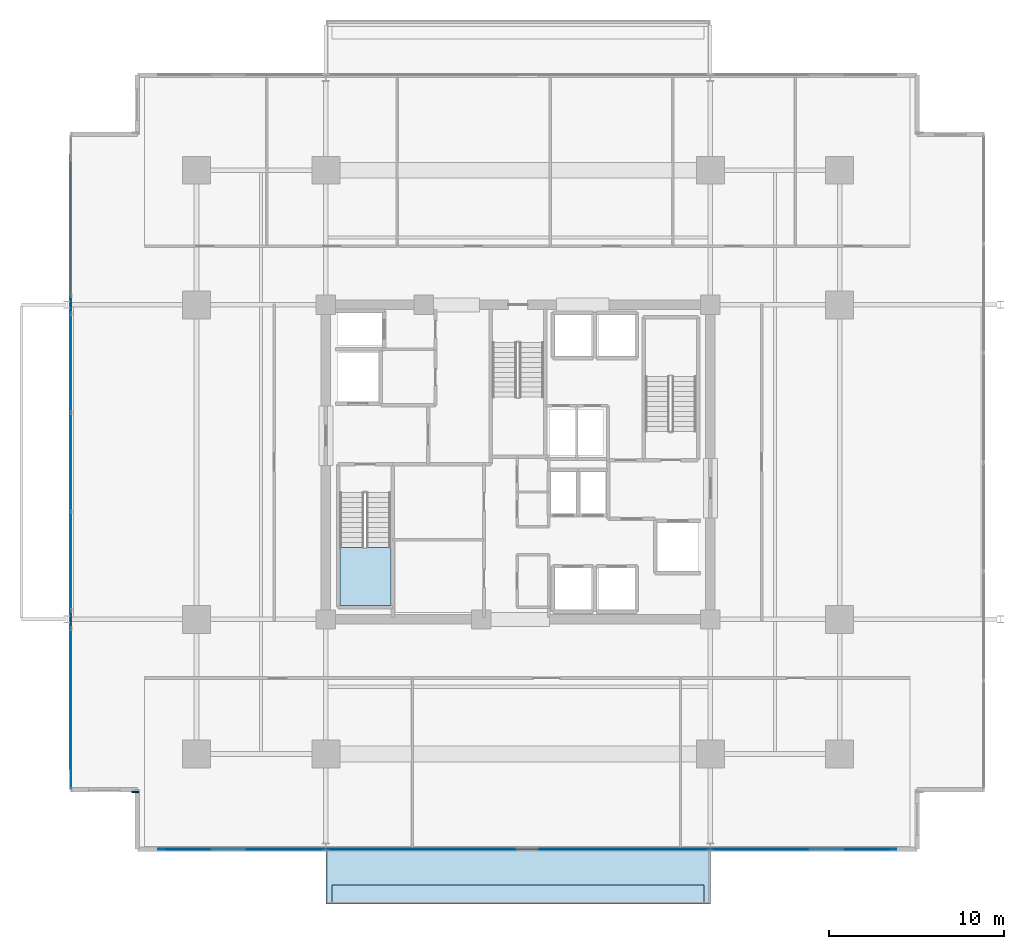
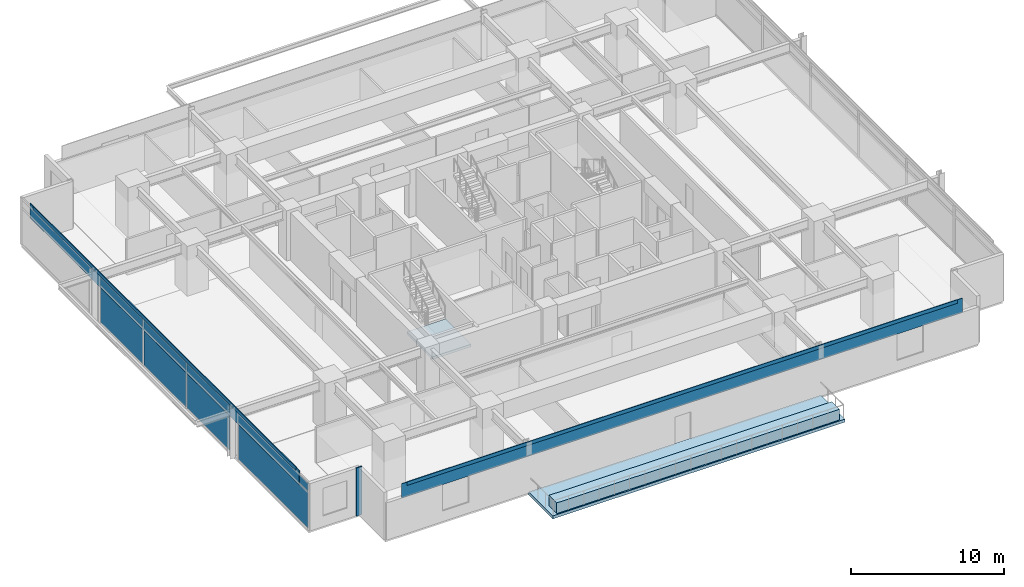
# One storey, part 12 of 22: 13 plates, 3 slabs, 3 elements without a shape of their own.
"""IFC4 building model written with IfcOpenShell, lengths in metres."""

import ifcopenshell
import ifcopenshell.guid

model = None  # the IFC model being written
_history = None  # IfcOwnerHistory: only IFC2X3 demands one
_inside = {}  # id of a spatial element -> (the spatial element, [elements in it])
_under = {}  # id of a project, library or spatial element -> (it, [spatial elements below it])
_declared = {}  # id of a project -> (the project, [libraries it declares])
_typed = {}  # id of a type object -> (the type object, [elements of that type])
_made_of = {}  # id of a material, layer set ... -> (it, [elements and type objects made of it])


def new_model(schema):
    """Start an empty IFC model of exactly this schema.

    Asked for "IFC4X3", IfcOpenShell would pick the latest addendum, in which some entities
    have other attributes; the version numbers below select the first issue.
    IFC2X3 requires an IfcOwnerHistory on every rooted entity: one is made here for all.
    """
    global model, _history
    if schema == "IFC4X3":
        model = ifcopenshell.file(schema_version=(4, 3, 0, 0))
    else:
        model = ifcopenshell.file(schema=schema)
    _inside.clear()
    _under.clear()
    _declared.clear()
    _typed.clear()
    _made_of.clear()
    _history = None
    if model.schema == "IFC2X3":
        org = make("IfcOrganization", Name="unknown")
        user = make(
            "IfcPersonAndOrganization",
            ThePerson=make("IfcPerson", FamilyName="unknown"),
            TheOrganization=org,
        )
        app = make(
            "IfcApplication",
            ApplicationDeveloper=org,
            Version="unknown",
            ApplicationFullName="unknown",
            ApplicationIdentifier="unknown",
        )
        _history = make(
            "IfcOwnerHistory",
            OwningUser=user,
            OwningApplication=app,
            ChangeAction="ADDED",
            CreationDate=0,
        )
    return model


def make(cls, **values):
    """One entity of the class cls with the attributes given. An attribute that is None is left unset."""
    return model.create_entity(
        cls, **{name: value for name, value in values.items() if value is not None}
    )


def rooted(cls, **values):
    """An entity with a GlobalId (a new one), such as an element, a storey or a relation."""
    return make(cls, GlobalId=ifcopenshell.guid.new(), OwnerHistory=_history, **values)


def si_unit(unit_type, name, prefix=None):
    """IfcSIUnit, for example si_unit("LENGTHUNIT", "METRE", prefix="MILLI")."""
    return make("IfcSIUnit", UnitType=unit_type, Prefix=prefix, Name=name)


def assignment(units):
    """IfcUnitAssignment: the units of a project."""
    return None if units is None else make("IfcUnitAssignment", Units=units)


def point(xyz):
    """IfcCartesianPoint."""
    return None if xyz is None else make("IfcCartesianPoint", Coordinates=xyz)


def direction(xyz):
    """IfcDirection."""
    return None if xyz is None else make("IfcDirection", DirectionRatios=xyz)


def frame(location, z_axis=None, x_axis=None):
    """IfcAxis2Placement3D, a coordinate frame: its origin and axes. An axis left out is left unset."""
    return make(
        "IfcAxis2Placement3D",
        Location=point(location),
        Axis=direction(z_axis),
        RefDirection=direction(x_axis),
    )


def frame_2d(location, x_axis=None):
    """IfcAxis2Placement2D, a coordinate frame in the plane: its origin and x axis."""
    return make(
        "IfcAxis2Placement2D", Location=point(location), RefDirection=direction(x_axis)
    )


def origin():
    """The frame at (0, 0, 0) with its axes left unset."""
    return frame((0.0, 0.0, 0.0))


def origin_2d():
    """The frame at (0, 0) in the plane with its x axis left unset."""
    return frame_2d((0.0, 0.0))


def place(relative_to, where):
    """IfcLocalPlacement: puts the frame where relative to a parent placement (None: the world)."""
    return make(
        "IfcLocalPlacement", PlacementRelTo=relative_to, RelativePlacement=where
    )


def context(
    kind, dimensions, precision=None, world=None, true_north=None, identifier=None
):
    """IfcGeometricRepresentationContext, for example the 3D "Model" context."""
    return make(
        "IfcGeometricRepresentationContext",
        ContextIdentifier=identifier,
        ContextType=kind,
        CoordinateSpaceDimension=dimensions,
        Precision=precision,
        WorldCoordinateSystem=world,
        TrueNorth=true_north,
    )


def subcontext(parent, identifier, kind, view, scale=None):
    """IfcGeometricRepresentationSubContext, for example "Body" below "Model"."""
    return make(
        "IfcGeometricRepresentationSubContext",
        ContextIdentifier=identifier,
        ContextType=kind,
        ParentContext=parent,
        TargetScale=scale,
        TargetView=view,
    )


def project(units=None, contexts=None):
    """IfcProject with its units and contexts."""
    return rooted(
        "IfcProject",
        Name="project",
        RepresentationContexts=contexts,
        UnitsInContext=assignment(units),
    )


def spatial(cls, under=None, at=None, **own):
    """A site, building, storey or space (cls), placed at a placement, below another one or the project."""
    s = rooted(cls, ObjectPlacement=at, **own)
    if under is not None:
        _under.setdefault(under.id(), (under, []))[1].append(s)
    return s


def polyline(points):
    """IfcPolyline through the points."""
    return make("IfcPolyline", Points=[point(p) for p in points])


def profile(cls, at=None, kind="AREA", **sizes):
    """A parametric profile (cls). Its sizes go by their IFC names, for example OverallWidth=200.0."""
    return make(cls, ProfileType=kind, Position=at, **sizes)


def rectangle(**sizes):
    """IfcRectangleProfileDef."""
    return profile("IfcRectangleProfileDef", **sizes)


def outline(outer, holes=None, kind="AREA"):
    """IfcArbitraryClosedProfileDef: a profile drawn as a closed curve; with holes, ...WithVoids."""
    if holes is None:
        return make("IfcArbitraryClosedProfileDef", ProfileType=kind, OuterCurve=outer)
    return make(
        "IfcArbitraryProfileDefWithVoids",
        ProfileType=kind,
        OuterCurve=outer,
        InnerCurves=holes,
    )


def extrude(swept, where, along, depth):
    """IfcExtrudedAreaSolid: the profile swept, set in the frame where, extruded along a direction by depth."""
    return make(
        "IfcExtrudedAreaSolid",
        SweptArea=swept,
        Position=where,
        ExtrudedDirection=direction(along),
        Depth=depth,
    )


def shape(context_of_items, identifier, shape_type, items):
    """IfcShapeRepresentation: the items that make up one representation, for example the "Body"."""
    return make(
        "IfcShapeRepresentation",
        ContextOfItems=context_of_items,
        RepresentationIdentifier=identifier,
        RepresentationType=shape_type,
        Items=items,
    )


def material(Name=None, Category=None):
    """IfcMaterial."""
    return make("IfcMaterial", Name=Name, Category=Category)


def layer(
    of_material, thickness, ventilated=None, Name=None, Category=None, Priority=None
):
    """IfcMaterialLayer: one layer of a wall or slab, of a material (None: an air gap)."""
    return make(
        "IfcMaterialLayer",
        Material=of_material,
        LayerThickness=thickness,
        IsVentilated=ventilated,
        Name=Name,
        Category=Category,
        Priority=Priority,
    )


def layer_set(layers, Name=None):
    """IfcMaterialLayerSet."""
    return make("IfcMaterialLayerSet", MaterialLayers=layers, LayerSetName=Name)


def made_of(thing, what):
    """Note that an element or type object is made of a material, layer set ...; save() writes the relation."""
    if what is not None:
        _made_of.setdefault(what.id(), (what, []))[1].append(thing)
    return thing


def type_object(cls, material=None, **own):
    """A type object (cls), such as IfcWallType, which elements share."""
    return made_of(rooted(cls, **own), material)


def element(
    cls,
    number,
    at=None,
    inside=None,
    cuts=None,
    type_object=None,
    material=None,
    context=None,
    identifier="Body",
    shape_type=None,
    held_by="IfcProductDefinitionShape",
    body=None,
    shapes=None,
    **own,
):
    """One element of the class cls, such as IfcWall. Its Tag is "e" and its number.

    at: its placement. inside: the storey or other place that contains it. cuts: it is an
    opening in that element (IfcRelVoidsElement). A single representation is given by context,
    identifier, shape_type and body (its items); several are given by shapes. held_by: the class
    of the entity that holds the representations. save() writes the other relations.
    """
    e = rooted(cls, Tag="e%d" % number, ObjectPlacement=at, **own)
    if body is not None:
        shapes = [shape(context, identifier, shape_type, body)]
    if shapes is not None:
        e.Representation = make(held_by, Representations=shapes)
    if inside is not None:
        _inside.setdefault(inside.id(), (inside, []))[1].append(e)
    if cuts is not None:
        rooted(
            "IfcRelVoidsElement", RelatingBuildingElement=cuts, RelatedOpeningElement=e
        )
    if type_object is not None:
        _typed.setdefault(type_object.id(), (type_object, []))[1].append(e)
    return made_of(e, material)


def aggregate(whole, parts):
    """IfcRelAggregates: a whole, such as a stair, and the parts it consists of."""
    return rooted("IfcRelAggregates", RelatingObject=whole, RelatedObjects=parts)


def save(model, path):
    """Write the relations noted so far, then the file.

    IfcRelAggregates (storeys below a building ...), IfcRelContainedInSpatialStructure (elements
    in a storey), IfcRelDefinesByType, IfcRelAssociatesMaterial and IfcRelDeclares: one each for
    every whole, place, type object, material and project.
    """
    for whole, parts in _under.values():
        aggregate(whole, parts)
    for where, things in _inside.values():
        rooted(
            "IfcRelContainedInSpatialStructure",
            RelatedElements=things,
            RelatingStructure=where,
        )
    for kind, things in _typed.values():
        rooted("IfcRelDefinesByType", RelatedObjects=things, RelatingType=kind)
    for what, things in _made_of.values():
        rooted("IfcRelAssociatesMaterial", RelatedObjects=things, RelatingMaterial=what)
    for by, libraries in _declared.values():
        rooted("IfcRelDeclares", RelatingContext=by, RelatedDefinitions=libraries)
    model.write(path)


model = new_model("IFC4")

# Units and contexts
model_context = context("Model", 3, precision=1e-05, world=origin(), true_north=direction((0.0, 1.0)))
body_context = subcontext(model_context, "Body", "Model", "MODEL_VIEW")
ifc_project = project(units=[si_unit("LENGTHUNIT", "METRE"), si_unit("AREAUNIT", "SQUARE_METRE"), si_unit("VOLUMEUNIT", "CUBIC_METRE"), si_unit("PLANEANGLEUNIT", "RADIAN"), si_unit("MASSUNIT", "GRAM", prefix="KILO")], contexts=[model_context])

# Site, building, storey
site_placement = place(None, origin())
site = spatial("IfcSite", under=ifc_project, at=site_placement, CompositionType="ELEMENT")
building_placement = place(site_placement, origin())
building = spatial("IfcBuilding", under=site, at=building_placement, Name="Kovane Verandah Tower", CompositionType="ELEMENT")
storey_placement = place(building_placement, frame((0.0, 0.0, 156.39990234375)))
storey = spatial("IfcBuildingStorey", under=building, at=storey_placement, Name="L36", CompositionType="ELEMENT", Elevation=156.39990234375)

# Curtain wall, plates
ifc_material_1 = material(Name="Champagne Anodised Aluminium Frame with Low-E Clear Laminated Glass", Category="aluminium")
curtain_wall_type = type_object("IfcCurtainWallType", Name="CW-SYS-03-MID", PredefinedType="NOTDEFINED", material=ifc_material_1)
curtain_wall_1_placement = place(storey_placement, origin())
curtain_wall_1 = element("IfcCurtainWall", 1, at=curtain_wall_1_placement, inside=storey, type_object=curtain_wall_type, Name="L36 W Unitised Curtain Wall-2", PredefinedType="NOTDEFINED")
ifc_material_2 = material(Name="Pale Champagne Anodised Aluminium Insulated Spandrel", Category="aluminium")
ifc_layer_1 = layer(ifc_material_2, 0.0400390625)
ifc_layer_set_1 = layer_set([ifc_layer_1], Name="Pale Champagne Anodised Aluminium Insulated Spandrel")
plate_type_1 = type_object("IfcPlateType", Name="PL-CW-SPD-40", PredefinedType="SHEET", material=ifc_layer_set_1)
plate_1_placement = place(storey_placement, frame((14.419677734375, 33.1533203125, 3.044921875), z_axis=(0.0, 0.0, 1.0), x_axis=(0.0, -1.0, 0.0)))
plate_1 = element("IfcPlate", 2, at=plate_1_placement, type_object=plate_type_1, Name="L36 W Unitised Curtain Wall-2 Spandrel Panel 1", PredefinedType="SHEET", context=body_context, shape_type="SweptSolid", body=[
    extrude(rectangle(XDim=5.51318359375, YDim=0.0400390625, at=origin_2d()), origin(), (0.0, 0.0, 1.0), 0.639892578125),
])
plate_2_placement = place(storey_placement, frame((14.419677734375, 27.5, 3.044921875), z_axis=(0.0, 0.0, 1.0), x_axis=(0.0, -1.0, 0.0)))
plate_2 = element("IfcPlate", 3, at=plate_2_placement, type_object=plate_type_1, Name="L36 W Unitised Curtain Wall-2 Spandrel Panel 2", PredefinedType="SHEET", context=body_context, shape_type="SweptSolid", body=[
    extrude(rectangle(XDim=5.51318359375, YDim=0.0400390625, at=origin_2d()), origin(), (0.0, 0.0, 1.0), 0.639892578125),
])
plate_3_placement = place(storey_placement, frame((14.419677734375, 21.8466796875, 3.044921875), z_axis=(0.0, 0.0, 1.0), x_axis=(0.0, -1.0, 0.0)))
plate_3 = element("IfcPlate", 4, at=plate_3_placement, type_object=plate_type_1, Name="L36 W Unitised Curtain Wall-2 Spandrel Panel 3", PredefinedType="SHEET", context=body_context, shape_type="SweptSolid", body=[
    extrude(rectangle(XDim=5.51318359375, YDim=0.0400390625, at=origin_2d()), origin(), (0.0, 0.0, 1.0), 0.639892578125),
])

# Curtain wall, plate
curtain_wall_2_placement = place(storey_placement, origin())
curtain_wall_2 = element("IfcCurtainWall", 5, at=curtain_wall_2_placement, inside=storey, type_object=curtain_wall_type, Name="L36 W Unitised Curtain Wall-3", PredefinedType="NOTDEFINED")
plate_4_placement = place(storey_placement, frame((14.419677734375, 13.366943359375, 3.044921875), z_axis=(0.0, 0.0, 1.0), x_axis=(0.0, -1.0, 0.0)))
plate_4 = element("IfcPlate", 6, at=plate_4_placement, type_object=plate_type_1, Name="L36 W Unitised Curtain Wall-3 Spandrel Panel 1", PredefinedType="SHEET", context=body_context, shape_type="SweptSolid", body=[
    extrude(rectangle(XDim=9.086181640625, YDim=0.0400390625, at=origin_2d()), origin(), (0.0, 0.0, 1.0), 0.639892578125),
])

# Plate
ifc_material_3 = material(Name="Clear Low-E Laminated Double Glazing", Category="glass")
ifc_layer_2 = layer(ifc_material_3, 0.031982421875)
ifc_layer_set_2 = layer_set([ifc_layer_2], Name="Clear Low-E Laminated Double Glazing")
plate_type_2 = type_object("IfcPlateType", Name="PL-CW-VIS-32", PredefinedType="CURTAIN_PANEL", material=ifc_layer_set_2)
plate_5_placement = place(storey_placement, frame((14.419677734375, 33.1533203125, 0.10009765625), z_axis=(0.0, 0.0, 1.0), x_axis=(0.0, -1.0, 0.0)))
plate_5 = element("IfcPlate", 7, at=plate_5_placement, type_object=plate_type_2, Name="L36 W Unitised Curtain Wall-2 Vision Panel 1", PredefinedType="CURTAIN_PANEL", context=body_context, shape_type="SweptSolid", body=[
    extrude(rectangle(XDim=5.51318359375, YDim=0.031982421875, at=origin_2d()), origin(), (0.0, 0.0, 1.0), 2.844970703125),
])

plate_6_placement = place(storey_placement, frame((14.419677734375, 27.5, 0.10009765625), z_axis=(0.0, 0.0, 1.0), x_axis=(0.0, -1.0, 0.0)))
plate_6 = element("IfcPlate", 8, at=plate_6_placement, type_object=plate_type_2, Name="L36 W Unitised Curtain Wall-2 Vision Panel 2", PredefinedType="CURTAIN_PANEL", context=body_context, shape_type="SweptSolid", body=[
    extrude(rectangle(XDim=5.51318359375, YDim=0.031982421875, at=origin_2d()), origin(), (0.0, 0.0, 1.0), 2.844970703125),
])

plate_7_placement = place(storey_placement, frame((14.419677734375, 21.8466796875, 0.10009765625), z_axis=(0.0, 0.0, 1.0), x_axis=(0.0, -1.0, 0.0)))
plate_7 = element("IfcPlate", 9, at=plate_7_placement, type_object=plate_type_2, Name="L36 W Unitised Curtain Wall-2 Vision Panel 3", PredefinedType="CURTAIN_PANEL", context=body_context, shape_type="SweptSolid", body=[
    extrude(rectangle(XDim=5.51318359375, YDim=0.031982421875, at=origin_2d()), origin(), (0.0, 0.0, 1.0), 2.844970703125),
])

aggregate(curtain_wall_1, [plate_5, plate_1, plate_6, plate_2, plate_7, plate_3])

plate_8_placement = place(storey_placement, frame((14.419677734375, 13.366943359375, 0.10009765625), z_axis=(0.0, 0.0, 1.0), x_axis=(0.0, -1.0, 0.0)))
plate_8 = element("IfcPlate", 10, at=plate_8_placement, type_object=plate_type_2, Name="L36 W Unitised Curtain Wall-3 Vision Panel 1", PredefinedType="CURTAIN_PANEL", context=body_context, shape_type="SweptSolid", body=[
    extrude(rectangle(XDim=9.086181640625, YDim=0.031982421875, at=origin_2d()), origin(), (0.0, 0.0, 1.0), 2.844970703125),
])

aggregate(curtain_wall_2, [plate_8, plate_4])

# Plates
ifc_material_4 = material(Name="Timber-Toned Subtropical Aluminium Vertical Blade", Category="wood")
ifc_layer_3 = layer(ifc_material_4, 0.090087890625)
ifc_layer_set_3 = layer_set([ifc_layer_3], Name="Timber-Toned Subtropical Aluminium Vertical Blade")
plate_type_3 = type_object("IfcPlateType", Name="PL-FIN-90", PredefinedType="USERDEFINED", material=ifc_layer_set_3)
plate_9_placement = place(storey_placement, frame((18.099609375, 8.6337890625, -0.019775390625), z_axis=(0.0, 0.0, 1.0), x_axis=(1.0, 0.0, 0.0)))
element("IfcPlate", 11, at=plate_9_placement, inside=storey, type_object=plate_type_3, Name="L36 SW Timber-Toned Vertical Corner Fin", ObjectType="FIN", PredefinedType="USERDEFINED", context=body_context, shape_type="SweptSolid", body=[
    extrude(rectangle(XDim=0.419921875, YDim=0.090087890625, at=origin_2d()), origin(), (0.0, 0.0, 1.0), 3.8349609375),
])
ifc_material_5 = material(Name="Perforated Pale Champagne Anodised Aluminium Solar Screen", Category="aluminium")
ifc_layer_4 = layer(ifc_material_5, 0.050048828125)
ifc_layer_set_4 = layer_set([ifc_layer_4], Name="Perforated Pale Champagne Anodised Aluminium Solar Screen")
plate_type_4 = type_object("IfcPlateType", Name="PL-SCREEN-50", PredefinedType="USERDEFINED", material=ifc_layer_set_4)
plate_10_placement = place(storey_placement, frame((40.531005859375, 5.3388671875, 2.875244140625), z_axis=(0.0, 0.0, 1.0), x_axis=(1.0, 0.0, 0.0)))
element("IfcPlate", 12, at=plate_10_placement, inside=storey, type_object=plate_type_4, Name="L36 S Perforated Champagne-Gold Solar Screen", ObjectType="SCREEN", PredefinedType="USERDEFINED", context=body_context, shape_type="SweptSolid", body=[
    extrude(rectangle(XDim=42.221923828125, YDim=0.050048828125, at=origin_2d()), origin(), (0.0, 0.0, 1.0), 1.14990234375),
])
plate_11_placement = place(storey_placement, frame((14.40478515625, 27.5, 2.875244140625), z_axis=(0.0, 0.0, 1.0), x_axis=(0.0, -1.0, 0.0)))
element("IfcPlate", 13, at=plate_11_placement, inside=storey, type_object=plate_type_4, Name="L36 W Perforated Champagne-Gold Solar Screen", ObjectType="SCREEN", PredefinedType="USERDEFINED", context=body_context, shape_type="SweptSolid", body=[
    extrude(rectangle(XDim=35.092041015625, YDim=0.050048828125, at=origin_2d()), origin(), (0.0, 0.0, 1.0), 1.14990234375),
])
ifc_material_6 = material(Name="Extruded Pale-Bronze Aluminium Aerofoil Sunshade", Category="aluminium")
ifc_layer_5 = layer(ifc_material_6, 0.06005859375)
ifc_layer_set_5 = layer_set([ifc_layer_5], Name="Extruded Pale-Bronze Aluminium Aerofoil Sunshade")
plate_type_5 = type_object("IfcPlateType", Name="PL-SUNSHADE-60", PredefinedType="USERDEFINED", material=ifc_layer_set_5)
plate_12_placement = place(storey_placement, frame((40.531005859375, 5.333740234375, 3.7548828125), z_axis=(0.0, 0.0, 1.0), x_axis=(1.0, 0.0, 0.0)))
element("IfcPlate", 14, at=plate_12_placement, inside=storey, type_object=plate_type_5, Name="L36 S Subtropical Aerofoil Sunshade", ObjectType="SUNSHADE", PredefinedType="USERDEFINED", context=body_context, shape_type="SweptSolid", body=[
    extrude(rectangle(XDim=41.422119140625, YDim=0.06005859375, at=origin_2d()), origin(), (0.0, 0.0, 1.0), 0.280029296875),
])
plate_13_placement = place(storey_placement, frame((14.399658203125, 27.5, 3.7548828125), z_axis=(0.0, 0.0, 1.0), x_axis=(0.0, -1.0, 0.0)))
element("IfcPlate", 15, at=plate_13_placement, inside=storey, type_object=plate_type_5, Name="L36 W Subtropical Aerofoil Sunshade", ObjectType="SUNSHADE", PredefinedType="USERDEFINED", context=body_context, shape_type="SweptSolid", body=[
    extrude(rectangle(XDim=34.2919921875, YDim=0.06005859375, at=origin_2d()), origin(), (0.0, 0.0, 1.0), 0.280029296875),
])

# Slab
ifc_material_7 = material(Name="Concrete C45/55", Category="concrete")
ifc_layer_6 = layer(ifc_material_7, 0.239990234375)
ifc_layer_set_6 = layer_set([ifc_layer_6], Name="Concrete C45/55")
slab_type_1 = type_object("IfcSlabType", Name="SL-BALC-240", PredefinedType="FLOOR", material=ifc_layer_set_6)
slab_1_placement = place(storey_placement, frame((0.0, 0.0, -0.239990234375)))
element("IfcSlab", 16, at=slab_1_placement, inside=storey, type_object=slab_type_1, Name="L36 S Planted Verandah Balcony Slab", PredefinedType="FLOOR", context=body_context, shape_type="SweptSolid", body=[
    extrude(outline(polyline([(29.0, 2.203857421875), (51.0, 2.203857421875), (51.0, 5.353759765625), (29.0, 5.353759765625), (29.0, 2.203857421875)])), origin(), (0.0, 0.0, 1.0), 0.239990234375),
])

# Stair, slab
stair_type = type_object("IfcStairType", Name="ST-CORE-1380", PredefinedType="HALF_TURN_STAIR", material=ifc_material_7)
stair_placement = place(storey_placement, origin())
stair = element("IfcStair", 17, at=stair_placement, inside=storey, type_object=stair_type, Name="L36 Exit Stair ST-01", PredefinedType="HALF_TURN_STAIR")
ifc_layer_7 = layer(ifc_material_7, 0.199951171875)
ifc_layer_set_7 = layer_set([ifc_layer_7], Name="Concrete C45/55")
slab_type_2 = type_object("IfcSlabType", Name="SL-LAND-200", PredefinedType="LANDING", material=ifc_layer_set_7)
slab_2_placement = place(storey_placement, frame((0.0, 0.0, 1.800048828125)))
slab_2 = element("IfcSlab", 18, at=slab_2_placement, type_object=slab_type_2, Name="ST-01 landing 1", PredefinedType="LANDING", context=body_context, shape_type="SweptSolid", body=[
    extrude(outline(polyline([(29.800048828125, 22.614990234375), (29.800048828125, 19.300048828125), (32.719970703125, 19.300048828125), (32.719970703125, 22.614990234375), (29.800048828125, 22.614990234375)])), origin(), (0.0, 0.0, 1.0), 0.199951171875),
])
aggregate(stair, [slab_2])

# Slab
ifc_material_8 = material(Name="Architectural Precast Concrete C45/55 Planter Trough", Category="concrete")
ifc_layer_8 = layer(ifc_material_8, 0.219970703125)
ifc_layer_set_8 = layer_set([ifc_layer_8], Name="Architectural Precast Concrete C45/55 Planter Trough")
slab_type_3 = type_object("IfcSlabType", Name="SL-PLANTER-220", PredefinedType="USERDEFINED", material=ifc_layer_set_8)
slab_3_placement = place(storey_placement, origin())
element("IfcSlab", 19, at=slab_3_placement, inside=storey, type_object=slab_type_3, Name="L36 S Structural Tree Planter", ObjectType="PLANTER", PredefinedType="USERDEFINED", context=body_context, shape_type="SweptSolid", body=[
    extrude(outline(polyline([(29.35009765625, 2.3037109375), (50.64990234375, 2.3037109375), (50.64990234375, 3.3037109375), (29.35009765625, 3.3037109375), (29.35009765625, 2.3037109375)])), origin(), (0.0, 0.0, 1.0), 0.85009765625),
])

save(model, "model.ifc")
